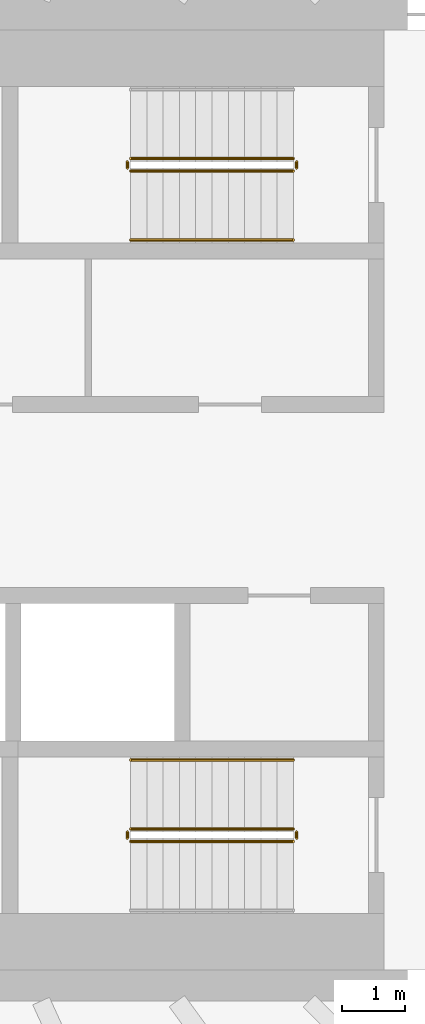
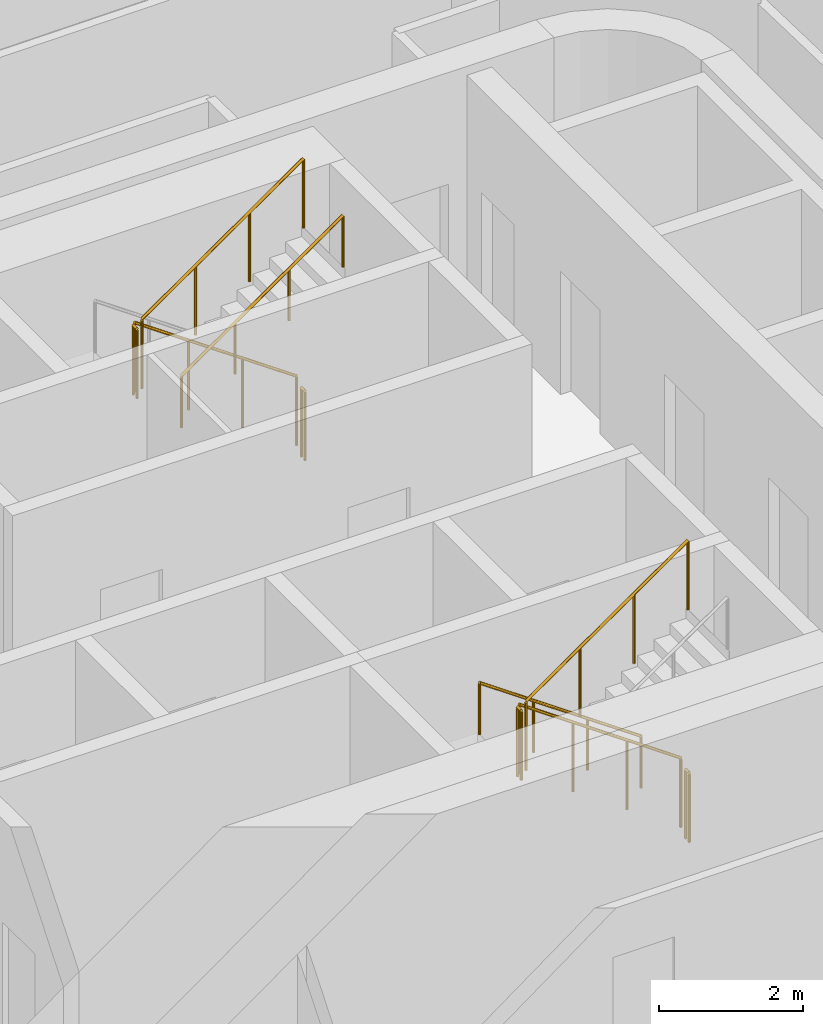
# One storey, part 20 of 22: 10 railings.
"""IFC4 building model written with IfcOpenShell, lengths in metres."""

from ifc_helpers import new_model, si_unit, direction, frame, origin, origin_2d, place, context, subcontext, project, spatial, circle, extrude, material, type_object, element, save


model = new_model("IFC4")

# Units and contexts
model_context = context("Model", 3, precision=1e-05, world=origin(), true_north=direction((0.0, 1.0)))
body_context = subcontext(model_context, "Body", "Model", "MODEL_VIEW")
ifc_project = project(units=[si_unit("LENGTHUNIT", "METRE"), si_unit("AREAUNIT", "SQUARE_METRE"), si_unit("VOLUMEUNIT", "CUBIC_METRE"), si_unit("PLANEANGLEUNIT", "RADIAN"), si_unit("MASSUNIT", "GRAM", prefix="KILO")], contexts=[model_context])

# Site, building, storey
site_placement = place(None, origin())
site = spatial("IfcSite", under=ifc_project, at=site_placement, CompositionType="ELEMENT")
building_placement = place(site_placement, origin())
building = spatial("IfcBuilding", under=site, at=building_placement, Name="Sahrelin Media Tower", CompositionType="ELEMENT")
storey_placement = place(building_placement, frame((0.0, 0.0, 177.60009765625)))
storey = spatial("IfcBuildingStorey", under=building, at=storey_placement, Name="L37", CompositionType="ELEMENT", Elevation=177.60009765625)

# Railings
ifc_material = material(Name="Steel S355", Category="steel")
railing_type_1 = type_object("IfcRailingType", Name="Stair guard 1200", PredefinedType="GUARDRAIL", material=ifc_material)
railing_1_placement = place(storey_placement, frame((7.675048828125, 5.449951171875, 0.181640625)))
element("IfcRailing", 1, at=railing_1_placement, inside=storey, type_object=railing_type_1, Name="L37 ST3 stair guard 1", PredefinedType="GUARDRAIL", context=body_context, shape_type="SweptSolid", body=[
    extrude(circle(Radius=0.02392578125, at=origin_2d()), frame((0.0, 0.0, 1.17578125), z_axis=(-0.819484887739, 0.0, 0.573100792852), x_axis=(0.0, -1.0, 0.0)), (0.0, 0.0, 1.0), 3.1728515625),
    extrude(circle(Radius=0.02099609375, at=origin_2d()), origin(), (0.0, 0.0, 1.0), 1.15185546875),
    extrude(circle(Radius=0.02099609375, at=origin_2d()), frame((-0.86669921875, 0.0, 0.606201171875)), (0.0, 0.0, 1.0), 1.15185546875),
    extrude(circle(Radius=0.02099609375, at=origin_2d()), frame((-1.7333984375, 0.0, 1.212158203125)), (0.0, 0.0, 1.0), 1.15185546875),
    extrude(circle(Radius=0.02099609375, at=origin_2d()), frame((-2.60009765625, 0.0, 1.818359375)), (0.0, 0.0, 1.0), 1.15185546875),
])
railing_2_placement = place(storey_placement, frame((5.02490234375, 5.39990234375, 2.0)))
element("IfcRailing", 2, at=railing_2_placement, inside=storey, type_object=railing_type_1, Name="L37 ST3 stair guard 2", PredefinedType="GUARDRAIL", context=body_context, shape_type="SweptSolid", body=[
    extrude(circle(Radius=0.02392578125, at=origin_2d()), frame((0.0, 0.0, 1.17578125), z_axis=(0.0, -1.0, 0.0), x_axis=(1.0, 0.0, 0.0)), (0.0, 0.0, 1.0), 0.099853515625),
    extrude(circle(Radius=0.02099609375, at=origin_2d()), origin(), (0.0, 0.0, 1.0), 1.15185546875),
    extrude(circle(Radius=0.02099609375, at=origin_2d()), frame((0.0, -0.099853515625, 0.0)), (0.0, 0.0, 1.0), 1.15185546875),
])
railing_3_placement = place(storey_placement, frame((5.074951171875, 5.25, 2.181640625)))
element("IfcRailing", 3, at=railing_3_placement, inside=storey, type_object=railing_type_1, Name="L37 ST3 stair guard 3", PredefinedType="GUARDRAIL", context=body_context, shape_type="SweptSolid", body=[
    extrude(circle(Radius=0.02392578125, at=origin_2d()), frame((0.0, 0.0, 1.17578125), z_axis=(0.819484887739, 0.0, 0.573100792852), x_axis=(0.0, 1.0, 0.0)), (0.0, 0.0, 1.0), 3.1728515625),
    extrude(circle(Radius=0.02099609375, at=origin_2d()), origin(), (0.0, 0.0, 1.0), 1.15185546875),
    extrude(circle(Radius=0.02099609375, at=origin_2d()), frame((0.86669921875, 0.0, 0.606201171875)), (0.0, 0.0, 1.0), 1.15185546875),
    extrude(circle(Radius=0.02099609375, at=origin_2d()), frame((1.7333984375, 0.0, 1.212158203125)), (0.0, 0.0, 1.0), 1.15185546875),
    extrude(circle(Radius=0.02099609375, at=origin_2d()), frame((2.60009765625, 0.0, 1.818359375)), (0.0, 0.0, 1.0), 1.15185546875),
])
railing_4_placement = place(storey_placement, frame((7.72509765625, 5.39990234375, 0.0)))
element("IfcRailing", 4, at=railing_4_placement, inside=storey, type_object=railing_type_1, Name="L37 ST3 stair guard 4", PredefinedType="GUARDRAIL", context=body_context, shape_type="SweptSolid", body=[
    extrude(circle(Radius=0.02392578125, at=origin_2d()), frame((0.0, 0.0, 1.17578125), z_axis=(0.0, -1.0, 0.0), x_axis=(1.0, 0.0, 0.0)), (0.0, 0.0, 1.0), 0.099853515625),
    extrude(circle(Radius=0.02099609375, at=origin_2d()), origin(), (0.0, 0.0, 1.0), 1.15185546875),
    extrude(circle(Radius=0.02099609375, at=origin_2d()), frame((0.0, -0.099853515625, 0.0)), (0.0, 0.0, 1.0), 1.15185546875),
])
railing_5_placement = place(storey_placement, frame((7.675048828125, -5.25, 0.181640625)))
element("IfcRailing", 5, at=railing_5_placement, inside=storey, type_object=railing_type_1, Name="L37 ST2 stair guard 1", PredefinedType="GUARDRAIL", context=body_context, shape_type="SweptSolid", body=[
    extrude(circle(Radius=0.02392578125, at=origin_2d()), frame((0.0, 0.0, 1.17578125), z_axis=(-0.819484887739, 0.0, 0.573100792852), x_axis=(0.0, -1.0, 0.0)), (0.0, 0.0, 1.0), 3.1728515625),
    extrude(circle(Radius=0.02099609375, at=origin_2d()), origin(), (0.0, 0.0, 1.0), 1.15185546875),
    extrude(circle(Radius=0.02099609375, at=origin_2d()), frame((-0.86669921875, 0.0, 0.606201171875)), (0.0, 0.0, 1.0), 1.15185546875),
    extrude(circle(Radius=0.02099609375, at=origin_2d()), frame((-1.7333984375, 0.0, 1.212158203125)), (0.0, 0.0, 1.0), 1.15185546875),
    extrude(circle(Radius=0.02099609375, at=origin_2d()), frame((-2.60009765625, 0.0, 1.818359375)), (0.0, 0.0, 1.0), 1.15185546875),
])
railing_6_placement = place(storey_placement, frame((5.02490234375, -5.300048828125, 2.0)))
element("IfcRailing", 6, at=railing_6_placement, inside=storey, type_object=railing_type_1, Name="L37 ST2 stair guard 2", PredefinedType="GUARDRAIL", context=body_context, shape_type="SweptSolid", body=[
    extrude(circle(Radius=0.02392578125, at=origin_2d()), frame((0.0, 0.0, 1.17578125), z_axis=(0.0, -1.0, 0.0), x_axis=(1.0, 0.0, 0.0)), (0.0, 0.0, 1.0), 0.099853515625),
    extrude(circle(Radius=0.02099609375, at=origin_2d()), origin(), (0.0, 0.0, 1.0), 1.15185546875),
    extrude(circle(Radius=0.02099609375, at=origin_2d()), frame((0.0, -0.099853515625, 0.0)), (0.0, 0.0, 1.0), 1.15185546875),
])
railing_7_placement = place(storey_placement, frame((5.074951171875, -5.449951171875, 2.181640625)))
element("IfcRailing", 7, at=railing_7_placement, inside=storey, type_object=railing_type_1, Name="L37 ST2 stair guard 3", PredefinedType="GUARDRAIL", context=body_context, shape_type="SweptSolid", body=[
    extrude(circle(Radius=0.02392578125, at=origin_2d()), frame((0.0, 0.0, 1.17578125), z_axis=(0.819484887739, 0.0, 0.573100792852), x_axis=(0.0, 1.0, 0.0)), (0.0, 0.0, 1.0), 3.1728515625),
    extrude(circle(Radius=0.02099609375, at=origin_2d()), origin(), (0.0, 0.0, 1.0), 1.15185546875),
    extrude(circle(Radius=0.02099609375, at=origin_2d()), frame((0.86669921875, 0.0, 0.606201171875)), (0.0, 0.0, 1.0), 1.15185546875),
    extrude(circle(Radius=0.02099609375, at=origin_2d()), frame((1.7333984375, 0.0, 1.212158203125)), (0.0, 0.0, 1.0), 1.15185546875),
    extrude(circle(Radius=0.02099609375, at=origin_2d()), frame((2.60009765625, 0.0, 1.818359375)), (0.0, 0.0, 1.0), 1.15185546875),
])
railing_8_placement = place(storey_placement, frame((7.72509765625, -5.300048828125, 0.0)))
element("IfcRailing", 8, at=railing_8_placement, inside=storey, type_object=railing_type_1, Name="L37 ST2 stair guard 4", PredefinedType="GUARDRAIL", context=body_context, shape_type="SweptSolid", body=[
    extrude(circle(Radius=0.02392578125, at=origin_2d()), frame((0.0, 0.0, 1.17578125), z_axis=(0.0, -1.0, 0.0), x_axis=(1.0, 0.0, 0.0)), (0.0, 0.0, 1.0), 0.099853515625),
    extrude(circle(Radius=0.02099609375, at=origin_2d()), origin(), (0.0, 0.0, 1.0), 1.15185546875),
    extrude(circle(Radius=0.02099609375, at=origin_2d()), frame((0.0, -0.099853515625, 0.0)), (0.0, 0.0, 1.0), 1.15185546875),
])
railing_type_2 = type_object("IfcRailingType", Name="Stair handrail 900", PredefinedType="HANDRAIL", material=ifc_material)
railing_9_placement = place(storey_placement, frame((5.074951171875, 4.14990234375, 2.181640625)))
element("IfcRailing", 9, at=railing_9_placement, inside=storey, type_object=railing_type_2, Name="L37 ST3 stair handrail 2", PredefinedType="HANDRAIL", context=body_context, shape_type="SweptSolid", body=[
    extrude(circle(Radius=0.02392578125, at=origin_2d()), frame((0.0, 0.0, 0.8759765625), z_axis=(0.819484887739, 0.0, 0.573100792852), x_axis=(0.0, 1.0, 0.0)), (0.0, 0.0, 1.0), 3.1728515625),
    extrude(circle(Radius=0.02099609375, at=origin_2d()), origin(), (0.0, 0.0, 1.0), 0.851806640625),
    extrude(circle(Radius=0.02099609375, at=origin_2d()), frame((0.86669921875, 0.0, 0.606201171875)), (0.0, 0.0, 1.0), 0.851806640625),
    extrude(circle(Radius=0.02099609375, at=origin_2d()), frame((1.7333984375, 0.0, 1.212158203125)), (0.0, 0.0, 1.0), 0.851806640625),
    extrude(circle(Radius=0.02099609375, at=origin_2d()), frame((2.60009765625, 0.0, 1.818359375)), (0.0, 0.0, 1.0), 0.851806640625),
])
railing_10_placement = place(storey_placement, frame((7.675048828125, -4.14990234375, 0.181640625)))
element("IfcRailing", 10, at=railing_10_placement, inside=storey, type_object=railing_type_2, Name="L37 ST2 stair handrail 1", PredefinedType="HANDRAIL", context=body_context, shape_type="SweptSolid", body=[
    extrude(circle(Radius=0.02392578125, at=origin_2d()), frame((0.0, 0.0, 0.8759765625), z_axis=(-0.819484887739, 0.0, 0.573100792852), x_axis=(0.0, -1.0, 0.0)), (0.0, 0.0, 1.0), 3.1728515625),
    extrude(circle(Radius=0.02099609375, at=origin_2d()), origin(), (0.0, 0.0, 1.0), 0.851806640625),
    extrude(circle(Radius=0.02099609375, at=origin_2d()), frame((-0.86669921875, 0.0, 0.606201171875)), (0.0, 0.0, 1.0), 0.851806640625),
    extrude(circle(Radius=0.02099609375, at=origin_2d()), frame((-1.7333984375, 0.0, 1.212158203125)), (0.0, 0.0, 1.0), 0.851806640625),
    extrude(circle(Radius=0.02099609375, at=origin_2d()), frame((-2.60009765625, 0.0, 1.818359375)), (0.0, 0.0, 1.0), 0.851806640625),
])

save(model, "model.ifc")
